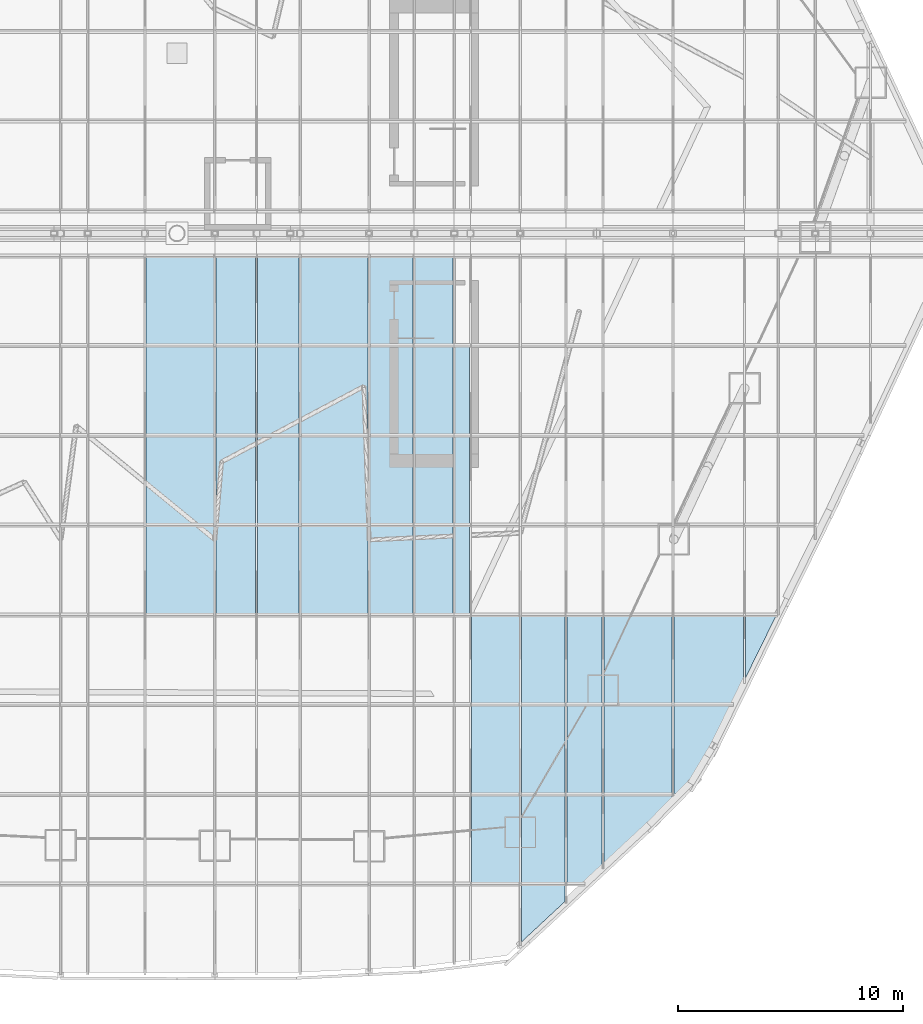
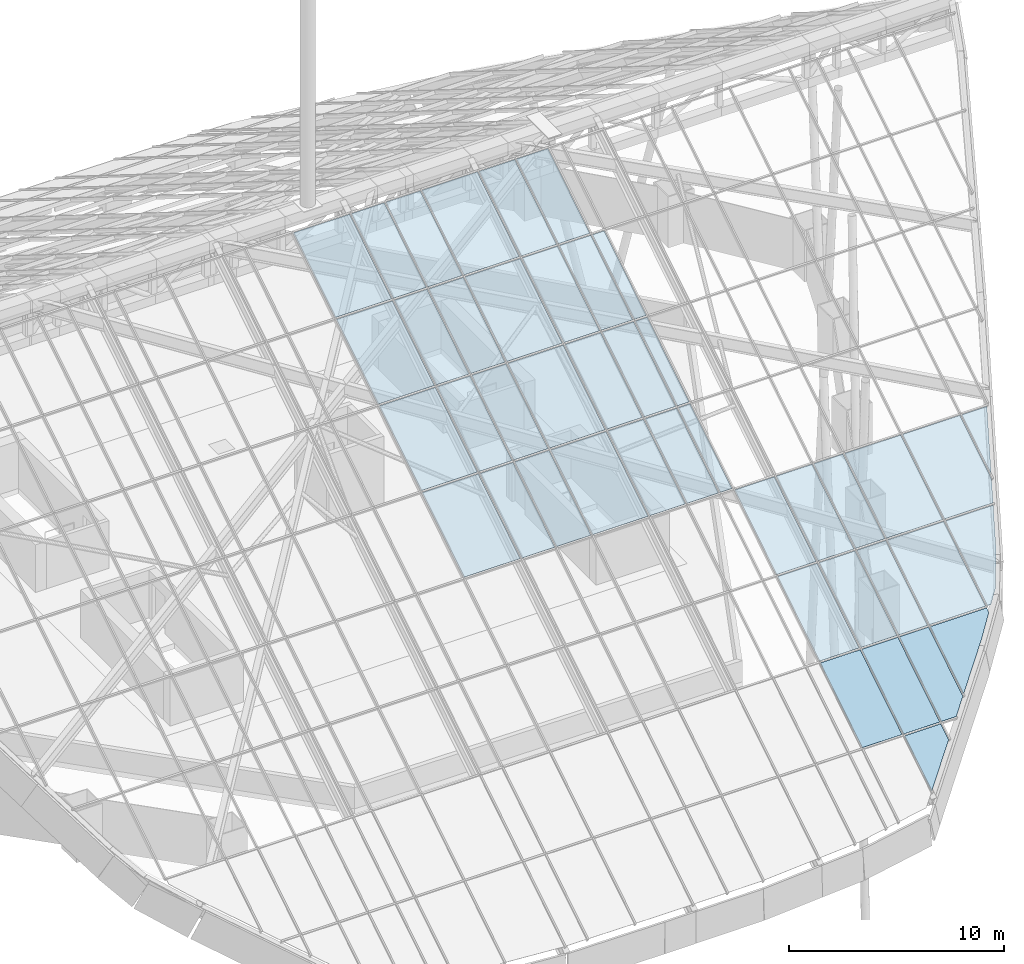
# One storey, part 29 of 38: 43 plates, 43 elements without a shape of their own.
"""IFC4 building model written with IfcOpenShell, lengths in metres."""

from ifc_helpers import new_model, si_unit, direction, frame, origin, place, context, subcontext, project, spatial, polyline, outline, extrude, material, layer, layer_set, type_object, element, aggregate, save


model = new_model("IFC4")

# Units and contexts
model_context = context("Model", 3, precision=1e-05, world=origin(), true_north=direction((0.0, 1.0)))
body_context = subcontext(model_context, "Body", "Model", "MODEL_VIEW")
ifc_project = project(units=[si_unit("LENGTHUNIT", "METRE"), si_unit("AREAUNIT", "SQUARE_METRE"), si_unit("VOLUMEUNIT", "CUBIC_METRE"), si_unit("PLANEANGLEUNIT", "RADIAN"), si_unit("MASSUNIT", "GRAM", prefix="KILO")], contexts=[model_context])

# Site, building, storey
site_placement = place(None, origin())
site = spatial("IfcSite", under=ifc_project, at=site_placement, CompositionType="ELEMENT")
building_placement = place(site_placement, origin())
building = spatial("IfcBuilding", under=site, at=building_placement, Name="Dongbaek Canopy Tower", CompositionType="ELEMENT")
storey_placement = place(building_placement, frame((0.0, 0.0, 375.800048828125)))
storey = spatial("IfcBuildingStorey", under=building, at=storey_placement, Name="Roof", CompositionType="ELEMENT", Elevation=375.800048828125)

# Curtain wall, plate
ifc_material_1 = material(Name="Aluminium 6063-T6 pale anodised", Category="aluminium")
ifc_layer_1 = layer(ifc_material_1, 0.199951171875)
ifc_layer_set_1 = layer_set([ifc_layer_1], Name="CW-6 canopy glazing curtain wall")
curtain_wall_type = type_object("IfcCurtainWallType", Name="CW-6 canopy glazing curtain wall", PredefinedType="NOTDEFINED", material=ifc_layer_set_1)
curtain_wall_1_placement = place(storey_placement, origin())
curtain_wall_1 = element("IfcCurtainWall", 1, at=curtain_wall_1_placement, inside=storey, type_object=curtain_wall_type, Name="CW-6 canopy glazing south 16.1", PredefinedType="NOTDEFINED")
ifc_material_2 = material(Name="Clear laminated glass", Category="glass")
ifc_layer_2 = layer(ifc_material_2, 0.0400390625)
ifc_layer_set_2 = layer_set([ifc_layer_2], Name="CW-6 glazed panel 40")
plate_type = type_object("IfcPlateType", Name="CW-6 glazed panel 40", PredefinedType="CURTAIN_PANEL", material=ifc_layer_set_2)
plate_1_placement = place(storey_placement, frame((1.639892578125, -4.943115234375, 15.658447265625), z_axis=(0.0, -0.52990827259, 0.848054964398), x_axis=(-1.0, 0.0, 0.0)))
plate_1 = element("IfcPlate", 2, at=plate_1_placement, type_object=plate_type, Name="CW-6 panel S16.1", PredefinedType="CURTAIN_PANEL", context=body_context, shape_type="SweptSolid", body=[
    extrude(outline(polyline([(0.0, 0.0), (3.014892578125, 0.0), (3.014892578125, -4.59893125811938), (0.0, -4.59893125811938), (0.0, 0.0)])), origin(), (0.0, 0.0, -1.0), 0.0400390625),
])
aggregate(curtain_wall_1, [plate_1])

curtain_wall_2_placement = place(storey_placement, origin())
curtain_wall_2 = element("IfcCurtainWall", 3, at=curtain_wall_2_placement, inside=storey, type_object=curtain_wall_type, Name="CW-6 canopy glazing south 16.2", PredefinedType="NOTDEFINED")
plate_2_placement = place(storey_placement, frame((1.639892578125, -8.929443359375, 13.16748046875), z_axis=(0.0, -0.52990827259, 0.848054964398), x_axis=(-1.0, 0.0, 0.0)))
plate_2 = element("IfcPlate", 4, at=plate_2_placement, type_object=plate_type, Name="CW-6 panel S16.2", PredefinedType="CURTAIN_PANEL", context=body_context, shape_type="SweptSolid", body=[
    extrude(outline(polyline([(0.0, 0.0), (3.014892578125, 0.0), (3.014892578125, -4.59893125811938), (0.0, -4.59893125811938), (0.0, 0.0)])), origin(), (0.0, 0.0, -1.0), 0.0400390625),
])
aggregate(curtain_wall_2, [plate_2])

curtain_wall_3_placement = place(storey_placement, origin())
curtain_wall_3 = element("IfcCurtainWall", 5, at=curtain_wall_3_placement, inside=storey, type_object=curtain_wall_type, Name="CW-6 canopy glazing south 16.3", PredefinedType="NOTDEFINED")
plate_3_placement = place(storey_placement, frame((1.639892578125, -12.91552734375, 10.676513671875), z_axis=(0.0, -0.529946450558, 0.848031107649), x_axis=(-1.0, 0.0, 0.0)))
plate_3 = element("IfcPlate", 6, at=plate_3_placement, type_object=plate_type, Name="CW-6 panel S16.3", PredefinedType="CURTAIN_PANEL", context=body_context, shape_type="SweptSolid", body=[
    extrude(outline(polyline([(0.0, 0.0), (3.014892578125, 0.0), (3.014892578125, -4.599060634916705), (0.0, -4.599060634916705), (0.0, 0.0)])), origin(), (0.0, 0.0, -1.0), 0.0400390625),
])
aggregate(curtain_wall_3, [plate_3])

curtain_wall_4_placement = place(storey_placement, origin())
curtain_wall_4 = element("IfcCurtainWall", 7, at=curtain_wall_4_placement, inside=storey, type_object=curtain_wall_type, Name="CW-6 canopy glazing south 16.4", PredefinedType="NOTDEFINED")
plate_4_placement = place(storey_placement, frame((1.639892578125, -16.90185546875, 8.185791015625), z_axis=(0.0, -0.52990827259, 0.848054964398), x_axis=(-1.0, 0.0, 0.0)))
plate_4 = element("IfcPlate", 8, at=plate_4_placement, type_object=plate_type, Name="CW-6 panel S16.4", PredefinedType="CURTAIN_PANEL", context=body_context, shape_type="SweptSolid", body=[
    extrude(outline(polyline([(0.0, 0.0), (3.014892578125, 0.0), (3.014892578125, -4.59893125811938), (0.0, -4.59893125811938), (0.0, 0.0)])), origin(), (0.0, 0.0, -1.0), 0.0400390625),
])
aggregate(curtain_wall_4, [plate_4])

curtain_wall_5_placement = place(storey_placement, origin())
curtain_wall_5 = element("IfcCurtainWall", 9, at=curtain_wall_5_placement, inside=storey, type_object=curtain_wall_type, Name="CW-6 canopy glazing south 17.1", PredefinedType="NOTDEFINED")
plate_5_placement = place(storey_placement, frame((3.4921875, -4.943115234375, 15.658447265625), z_axis=(0.0, -0.52990827259, 0.848054964398), x_axis=(-1.0, 0.0, 0.0)))
plate_5 = element("IfcPlate", 10, at=plate_5_placement, type_object=plate_type, Name="CW-6 panel S17.1", PredefinedType="CURTAIN_PANEL", context=body_context, shape_type="SweptSolid", body=[
    extrude(outline(polyline([(0.0, 0.0), (1.76611328125, 0.0), (1.76611328125, -4.59893125811938), (0.0, -4.59893125811938), (0.0, 0.0)])), origin(), (0.0, 0.0, -1.0), 0.0400390625),
])
aggregate(curtain_wall_5, [plate_5])

curtain_wall_6_placement = place(storey_placement, origin())
curtain_wall_6 = element("IfcCurtainWall", 11, at=curtain_wall_6_placement, inside=storey, type_object=curtain_wall_type, Name="CW-6 canopy glazing south 17.2", PredefinedType="NOTDEFINED")
plate_6_placement = place(storey_placement, frame((3.4921875, -8.929443359375, 13.16748046875), z_axis=(0.0, -0.52990827259, 0.848054964398), x_axis=(-1.0, 0.0, 0.0)))
plate_6 = element("IfcPlate", 12, at=plate_6_placement, type_object=plate_type, Name="CW-6 panel S17.2", PredefinedType="CURTAIN_PANEL", context=body_context, shape_type="SweptSolid", body=[
    extrude(outline(polyline([(0.0, 0.0), (1.76611328125, 0.0), (1.76611328125, -4.59893125811938), (0.0, -4.59893125811938), (0.0, 0.0)])), origin(), (0.0, 0.0, -1.0), 0.0400390625),
])
aggregate(curtain_wall_6, [plate_6])

curtain_wall_7_placement = place(storey_placement, origin())
curtain_wall_7 = element("IfcCurtainWall", 13, at=curtain_wall_7_placement, inside=storey, type_object=curtain_wall_type, Name="CW-6 canopy glazing south 17.3", PredefinedType="NOTDEFINED")
plate_7_placement = place(storey_placement, frame((3.4921875, -12.91552734375, 10.676513671875), z_axis=(0.0, -0.529946450558, 0.848031107649), x_axis=(-1.0, 0.0, 0.0)))
plate_7 = element("IfcPlate", 14, at=plate_7_placement, type_object=plate_type, Name="CW-6 panel S17.3", PredefinedType="CURTAIN_PANEL", context=body_context, shape_type="SweptSolid", body=[
    extrude(outline(polyline([(0.0, 0.0), (1.76611328125, 0.0), (1.76611328125, -4.599060634916704), (0.0, -4.599060634916704), (0.0, 0.0)])), origin(), (0.0, 0.0, -1.0), 0.0400390625),
])
aggregate(curtain_wall_7, [plate_7])

curtain_wall_8_placement = place(storey_placement, origin())
curtain_wall_8 = element("IfcCurtainWall", 15, at=curtain_wall_8_placement, inside=storey, type_object=curtain_wall_type, Name="CW-6 canopy glazing south 17.4", PredefinedType="NOTDEFINED")
plate_8_placement = place(storey_placement, frame((3.4921875, -16.90185546875, 8.185791015625), z_axis=(0.0, -0.52990827259, 0.848054964398), x_axis=(-1.0, 0.0, 0.0)))
plate_8 = element("IfcPlate", 16, at=plate_8_placement, type_object=plate_type, Name="CW-6 panel S17.4", PredefinedType="CURTAIN_PANEL", context=body_context, shape_type="SweptSolid", body=[
    extrude(outline(polyline([(0.0, 0.0), (1.76611328125, 0.0), (1.76611328125, -4.59893125811938), (0.0, -4.59893125811938), (0.0, 0.0)])), origin(), (0.0, 0.0, -1.0), 0.0400390625),
])
aggregate(curtain_wall_8, [plate_8])

curtain_wall_9_placement = place(storey_placement, origin())
curtain_wall_9 = element("IfcCurtainWall", 17, at=curtain_wall_9_placement, inside=storey, type_object=curtain_wall_type, Name="CW-6 canopy glazing south 18.1", PredefinedType="NOTDEFINED")
plate_9_placement = place(storey_placement, frame((5.427978515625, -4.943115234375, 15.658447265625), z_axis=(0.0, -0.52990827259, 0.848054964398), x_axis=(-1.0, 0.0, 0.0)))
plate_9 = element("IfcPlate", 18, at=plate_9_placement, type_object=plate_type, Name="CW-6 panel S18.1", PredefinedType="CURTAIN_PANEL", context=body_context, shape_type="SweptSolid", body=[
    extrude(outline(polyline([(0.0, 0.0), (1.849609375, 0.0), (1.849609375, -4.59893125811938), (0.0, -4.59893125811938), (0.0, 0.0)])), origin(), (0.0, 0.0, -1.0), 0.0400390625),
])
aggregate(curtain_wall_9, [plate_9])

curtain_wall_10_placement = place(storey_placement, origin())
curtain_wall_10 = element("IfcCurtainWall", 19, at=curtain_wall_10_placement, inside=storey, type_object=curtain_wall_type, Name="CW-6 canopy glazing south 18.2", PredefinedType="NOTDEFINED")
plate_10_placement = place(storey_placement, frame((5.427978515625, -8.929443359375, 13.16748046875), z_axis=(0.0, -0.52990827259, 0.848054964398), x_axis=(-1.0, 0.0, 0.0)))
plate_10 = element("IfcPlate", 20, at=plate_10_placement, type_object=plate_type, Name="CW-6 panel S18.2", PredefinedType="CURTAIN_PANEL", context=body_context, shape_type="SweptSolid", body=[
    extrude(outline(polyline([(0.0, 0.0), (1.849609375, 0.0), (1.849609375, -4.59893125811938), (0.0, -4.59893125811938), (0.0, 0.0)])), origin(), (0.0, 0.0, -1.0), 0.0400390625),
])
aggregate(curtain_wall_10, [plate_10])

curtain_wall_11_placement = place(storey_placement, origin())
curtain_wall_11 = element("IfcCurtainWall", 21, at=curtain_wall_11_placement, inside=storey, type_object=curtain_wall_type, Name="CW-6 canopy glazing south 18.3", PredefinedType="NOTDEFINED")
plate_11_placement = place(storey_placement, frame((5.427978515625, -12.91552734375, 10.676513671875), z_axis=(0.0, -0.529946450558, 0.848031107649), x_axis=(-1.0, 0.0, 0.0)))
plate_11 = element("IfcPlate", 22, at=plate_11_placement, type_object=plate_type, Name="CW-6 panel S18.3", PredefinedType="CURTAIN_PANEL", context=body_context, shape_type="SweptSolid", body=[
    extrude(outline(polyline([(0.0, 0.0), (1.849609375, 0.0), (1.849609375, -4.599060634916705), (0.0, -4.599060634916705), (0.0, 0.0)])), origin(), (0.0, 0.0, -1.0), 0.0400390625),
])
aggregate(curtain_wall_11, [plate_11])

curtain_wall_12_placement = place(storey_placement, origin())
curtain_wall_12 = element("IfcCurtainWall", 23, at=curtain_wall_12_placement, inside=storey, type_object=curtain_wall_type, Name="CW-6 canopy glazing south 18.4", PredefinedType="NOTDEFINED")
plate_12_placement = place(storey_placement, frame((5.427978515625, -16.90185546875, 8.185791015625), z_axis=(0.0, -0.52990827259, 0.848054964398), x_axis=(-1.0, 0.0, 0.0)))
plate_12 = element("IfcPlate", 24, at=plate_12_placement, type_object=plate_type, Name="CW-6 panel S18.4", PredefinedType="CURTAIN_PANEL", context=body_context, shape_type="SweptSolid", body=[
    extrude(outline(polyline([(0.0, 0.0), (1.849609375, 0.0), (1.849609375, -4.59893125811938), (0.0, -4.59893125811938), (0.0, 0.0)])), origin(), (0.0, 0.0, -1.0), 0.0400390625),
])
aggregate(curtain_wall_12, [plate_12])

curtain_wall_13_placement = place(storey_placement, origin())
curtain_wall_13 = element("IfcCurtainWall", 25, at=curtain_wall_13_placement, inside=storey, type_object=curtain_wall_type, Name="CW-6 canopy glazing south 19.1", PredefinedType="NOTDEFINED")
plate_13_placement = place(storey_placement, frame((8.490966796875, -4.943115234375, 15.658447265625), z_axis=(0.0, -0.52990827259, 0.848054964398), x_axis=(-1.0, 0.0, 0.0)))
plate_13 = element("IfcPlate", 26, at=plate_13_placement, type_object=plate_type, Name="CW-6 panel S19.1", PredefinedType="CURTAIN_PANEL", context=body_context, shape_type="SweptSolid", body=[
    extrude(outline(polyline([(0.0, 0.0), (2.97705078125, 0.0), (2.97705078125, -4.59893125811938), (0.0, -4.59893125811938), (0.0, 0.0)])), origin(), (0.0, 0.0, -1.0), 0.0400390625),
])
aggregate(curtain_wall_13, [plate_13])

curtain_wall_14_placement = place(storey_placement, origin())
curtain_wall_14 = element("IfcCurtainWall", 27, at=curtain_wall_14_placement, inside=storey, type_object=curtain_wall_type, Name="CW-6 canopy glazing south 19.2", PredefinedType="NOTDEFINED")
plate_14_placement = place(storey_placement, frame((8.490966796875, -8.929443359375, 13.16748046875), z_axis=(0.0, -0.52990827259, 0.848054964398), x_axis=(-1.0, 0.0, 0.0)))
plate_14 = element("IfcPlate", 28, at=plate_14_placement, type_object=plate_type, Name="CW-6 panel S19.2", PredefinedType="CURTAIN_PANEL", context=body_context, shape_type="SweptSolid", body=[
    extrude(outline(polyline([(0.0, 0.0), (2.97705078125, 0.0), (2.97705078125, -4.59893125811938), (0.0, -4.59893125811938), (0.0, 0.0)])), origin(), (0.0, 0.0, -1.0), 0.0400390625),
])
aggregate(curtain_wall_14, [plate_14])

curtain_wall_15_placement = place(storey_placement, origin())
curtain_wall_15 = element("IfcCurtainWall", 29, at=curtain_wall_15_placement, inside=storey, type_object=curtain_wall_type, Name="CW-6 canopy glazing south 19.3", PredefinedType="NOTDEFINED")
plate_15_placement = place(storey_placement, frame((8.490966796875, -12.91552734375, 10.676513671875), z_axis=(0.0, -0.529946450558, 0.848031107649), x_axis=(-1.0, 0.0, 0.0)))
plate_15 = element("IfcPlate", 30, at=plate_15_placement, type_object=plate_type, Name="CW-6 panel S19.3", PredefinedType="CURTAIN_PANEL", context=body_context, shape_type="SweptSolid", body=[
    extrude(outline(polyline([(0.0, 0.0), (2.97705078125, 0.0), (2.97705078125, -4.599060634916705), (0.0, -4.599060634916705), (0.0, 0.0)])), origin(), (0.0, 0.0, -1.0), 0.0400390625),
])
aggregate(curtain_wall_15, [plate_15])

curtain_wall_16_placement = place(storey_placement, origin())
curtain_wall_16 = element("IfcCurtainWall", 31, at=curtain_wall_16_placement, inside=storey, type_object=curtain_wall_type, Name="CW-6 canopy glazing south 19.4", PredefinedType="NOTDEFINED")
plate_16_placement = place(storey_placement, frame((8.490966796875, -16.90185546875, 8.185791015625), z_axis=(0.0, -0.52990827259, 0.848054964398), x_axis=(-1.0, 0.0, 0.0)))
plate_16 = element("IfcPlate", 32, at=plate_16_placement, type_object=plate_type, Name="CW-6 panel S19.4", PredefinedType="CURTAIN_PANEL", context=body_context, shape_type="SweptSolid", body=[
    extrude(outline(polyline([(0.0, 0.0), (2.97705078125, 0.0), (2.97705078125, -4.59893125811938), (0.0, -4.59893125811938), (0.0, 0.0)])), origin(), (0.0, 0.0, -1.0), 0.0400390625),
])
aggregate(curtain_wall_16, [plate_16])

curtain_wall_17_placement = place(storey_placement, origin())
curtain_wall_17 = element("IfcCurtainWall", 33, at=curtain_wall_17_placement, inside=storey, type_object=curtain_wall_type, Name="CW-6 canopy glazing south 20.1", PredefinedType="NOTDEFINED")
plate_17_placement = place(storey_placement, frame((10.4921875, -4.943115234375, 15.658447265625), z_axis=(0.0, -0.52990827259, 0.848054964398), x_axis=(-1.0, 0.0, 0.0)))
plate_17 = element("IfcPlate", 34, at=plate_17_placement, type_object=plate_type, Name="CW-6 panel S20.1", PredefinedType="CURTAIN_PANEL", context=body_context, shape_type="SweptSolid", body=[
    extrude(outline(polyline([(0.0, 0.0), (1.915283203125, 0.0), (1.915283203125, -4.59893125811938), (0.0, -4.59893125811938), (0.0, 0.0)])), origin(), (0.0, 0.0, -1.0), 0.0400390625),
])
aggregate(curtain_wall_17, [plate_17])

curtain_wall_18_placement = place(storey_placement, origin())
curtain_wall_18 = element("IfcCurtainWall", 35, at=curtain_wall_18_placement, inside=storey, type_object=curtain_wall_type, Name="CW-6 canopy glazing south 20.2", PredefinedType="NOTDEFINED")
plate_18_placement = place(storey_placement, frame((10.4921875, -8.929443359375, 13.16748046875), z_axis=(0.0, -0.52990827259, 0.848054964398), x_axis=(-1.0, 0.0, 0.0)))
plate_18 = element("IfcPlate", 36, at=plate_18_placement, type_object=plate_type, Name="CW-6 panel S20.2", PredefinedType="CURTAIN_PANEL", context=body_context, shape_type="SweptSolid", body=[
    extrude(outline(polyline([(0.0, 0.0), (1.915283203125, 0.0), (1.915283203125, -4.59893125811938), (0.0, -4.59893125811938), (0.0, 0.0)])), origin(), (0.0, 0.0, -1.0), 0.0400390625),
])
aggregate(curtain_wall_18, [plate_18])

curtain_wall_19_placement = place(storey_placement, origin())
curtain_wall_19 = element("IfcCurtainWall", 37, at=curtain_wall_19_placement, inside=storey, type_object=curtain_wall_type, Name="CW-6 canopy glazing south 20.3", PredefinedType="NOTDEFINED")
plate_19_placement = place(storey_placement, frame((10.4921875, -12.91552734375, 10.676513671875), z_axis=(0.0, -0.529946450558, 0.848031107649), x_axis=(-1.0, 0.0, 0.0)))
plate_19 = element("IfcPlate", 38, at=plate_19_placement, type_object=plate_type, Name="CW-6 panel S20.3", PredefinedType="CURTAIN_PANEL", context=body_context, shape_type="SweptSolid", body=[
    extrude(outline(polyline([(0.0, 0.0), (1.915283203125, 0.0), (1.915283203125, -4.599060634916705), (0.0, -4.599060634916705), (0.0, 0.0)])), origin(), (0.0, 0.0, -1.0), 0.0400390625),
])
aggregate(curtain_wall_19, [plate_19])

curtain_wall_20_placement = place(storey_placement, origin())
curtain_wall_20 = element("IfcCurtainWall", 39, at=curtain_wall_20_placement, inside=storey, type_object=curtain_wall_type, Name="CW-6 canopy glazing south 20.4", PredefinedType="NOTDEFINED")
plate_20_placement = place(storey_placement, frame((10.4921875, -16.90185546875, 8.185791015625), z_axis=(0.0, -0.52990827259, 0.848054964398), x_axis=(-1.0, 0.0, 0.0)))
plate_20 = element("IfcPlate", 40, at=plate_20_placement, type_object=plate_type, Name="CW-6 panel S20.4", PredefinedType="CURTAIN_PANEL", context=body_context, shape_type="SweptSolid", body=[
    extrude(outline(polyline([(0.0, 0.0), (1.915283203125, 0.0), (1.915283203125, -4.59893125811938), (0.0, -4.59893125811938), (0.0, 0.0)])), origin(), (0.0, 0.0, -1.0), 0.0400390625),
])
aggregate(curtain_wall_20, [plate_20])

curtain_wall_21_placement = place(storey_placement, origin())
curtain_wall_21 = element("IfcCurtainWall", 41, at=curtain_wall_21_placement, inside=storey, type_object=curtain_wall_type, Name="CW-6 canopy glazing south 21.1", PredefinedType="NOTDEFINED")
plate_21_placement = place(storey_placement, frame((12.27099609375, -4.943115234375, 15.658447265625), z_axis=(0.0, -0.52990827259, 0.848054964398), x_axis=(-1.0, 0.0, 0.0)))
plate_21 = element("IfcPlate", 42, at=plate_21_placement, type_object=plate_type, Name="CW-6 panel S21.1", PredefinedType="CURTAIN_PANEL", context=body_context, shape_type="SweptSolid", body=[
    extrude(outline(polyline([(0.0, 0.0), (1.692626953125, 0.0), (1.692626953125, -4.59893125811938), (0.0, -4.59893125811938), (0.0, 0.0)])), origin(), (0.0, 0.0, -1.0), 0.0400390625),
])
aggregate(curtain_wall_21, [plate_21])

curtain_wall_22_placement = place(storey_placement, origin())
curtain_wall_22 = element("IfcCurtainWall", 43, at=curtain_wall_22_placement, inside=storey, type_object=curtain_wall_type, Name="CW-6 canopy glazing south 21.2", PredefinedType="NOTDEFINED")
plate_22_placement = place(storey_placement, frame((12.27099609375, -8.929443359375, 13.16748046875), z_axis=(0.0, -0.52990827259, 0.848054964398), x_axis=(-1.0, 0.0, 0.0)))
plate_22 = element("IfcPlate", 44, at=plate_22_placement, type_object=plate_type, Name="CW-6 panel S21.2", PredefinedType="CURTAIN_PANEL", context=body_context, shape_type="SweptSolid", body=[
    extrude(outline(polyline([(0.0, 0.0), (1.692626953125, 0.0), (1.692626953125, -4.59893125811938), (0.0, -4.59893125811938), (0.0, 0.0)])), origin(), (0.0, 0.0, -1.0), 0.0400390625),
])
aggregate(curtain_wall_22, [plate_22])

curtain_wall_23_placement = place(storey_placement, origin())
curtain_wall_23 = element("IfcCurtainWall", 45, at=curtain_wall_23_placement, inside=storey, type_object=curtain_wall_type, Name="CW-6 canopy glazing south 21.3", PredefinedType="NOTDEFINED")
plate_23_placement = place(storey_placement, frame((12.27099609375, -12.91552734375, 10.676513671875), z_axis=(0.0, -0.529946450558, 0.848031107649), x_axis=(-1.0, 0.0, 0.0)))
plate_23 = element("IfcPlate", 46, at=plate_23_placement, type_object=plate_type, Name="CW-6 panel S21.3", PredefinedType="CURTAIN_PANEL", context=body_context, shape_type="SweptSolid", body=[
    extrude(outline(polyline([(0.0, 0.0), (1.692626953125, 0.0), (1.692626953125, -4.599060634916705), (0.0, -4.599060634916705), (0.0, 0.0)])), origin(), (0.0, 0.0, -1.0), 0.0400390625),
])
aggregate(curtain_wall_23, [plate_23])

curtain_wall_24_placement = place(storey_placement, origin())
curtain_wall_24 = element("IfcCurtainWall", 47, at=curtain_wall_24_placement, inside=storey, type_object=curtain_wall_type, Name="CW-6 canopy glazing south 21.4", PredefinedType="NOTDEFINED")
plate_24_placement = place(storey_placement, frame((12.27099609375, -16.90185546875, 8.185791015625), z_axis=(0.0, -0.52990827259, 0.848054964398), x_axis=(-1.0, 0.0, 0.0)))
plate_24 = element("IfcPlate", 48, at=plate_24_placement, type_object=plate_type, Name="CW-6 panel S21.4", PredefinedType="CURTAIN_PANEL", context=body_context, shape_type="SweptSolid", body=[
    extrude(outline(polyline([(0.0, 0.0), (1.692626953125, 0.0), (1.692626953125, -4.59893125811938), (0.0, -4.59893125811938), (0.0, 0.0)])), origin(), (0.0, 0.0, -1.0), 0.0400390625),
])
aggregate(curtain_wall_24, [plate_24])

curtain_wall_25_placement = place(storey_placement, origin())
curtain_wall_25 = element("IfcCurtainWall", 49, at=curtain_wall_25_placement, inside=storey, type_object=curtain_wall_type, Name="CW-6 canopy glazing south 22.2", PredefinedType="NOTDEFINED")
plate_25_placement = place(storey_placement, frame((12.9921875, -8.929443359375, 13.16748046875), z_axis=(0.0, -0.52990827259, 0.848054964398), x_axis=(-1.0, 0.0, 0.0)))
plate_25 = element("IfcPlate", 50, at=plate_25_placement, type_object=plate_type, Name="CW-6 panel S22.2", PredefinedType="CURTAIN_PANEL", context=body_context, shape_type="SweptSolid", body=[
    extrude(outline(polyline([(0.0, 0.0), (0.63525390625, 0.0), (0.63525390625, -4.5989312581193795), (0.0, -4.5989312581193795), (0.0, 0.0)])), origin(), (0.0, 0.0, -1.0), 0.0400390625),
])
aggregate(curtain_wall_25, [plate_25])

curtain_wall_26_placement = place(storey_placement, origin())
curtain_wall_26 = element("IfcCurtainWall", 51, at=curtain_wall_26_placement, inside=storey, type_object=curtain_wall_type, Name="CW-6 canopy glazing south 22.3", PredefinedType="NOTDEFINED")
plate_26_placement = place(storey_placement, frame((12.9921875, -12.91552734375, 10.676513671875), z_axis=(0.0, -0.529946450558, 0.848031107649), x_axis=(-1.0, 0.0, 0.0)))
plate_26 = element("IfcPlate", 52, at=plate_26_placement, type_object=plate_type, Name="CW-6 panel S22.3", PredefinedType="CURTAIN_PANEL", context=body_context, shape_type="SweptSolid", body=[
    extrude(outline(polyline([(0.0, 0.0), (0.63525390625, 0.0), (0.63525390625, -4.599060634916705), (0.0, -4.599060634916705), (0.0, 0.0)])), origin(), (0.0, 0.0, -1.0), 0.0400390625),
])
aggregate(curtain_wall_26, [plate_26])

curtain_wall_27_placement = place(storey_placement, origin())
curtain_wall_27 = element("IfcCurtainWall", 53, at=curtain_wall_27_placement, inside=storey, type_object=curtain_wall_type, Name="CW-6 canopy glazing south 22.4", PredefinedType="NOTDEFINED")
plate_27_placement = place(storey_placement, frame((12.9921875, -16.90185546875, 8.185791015625), z_axis=(0.0, -0.52990827259, 0.848054964398), x_axis=(-1.0, 0.0, 0.0)))
plate_27 = element("IfcPlate", 54, at=plate_27_placement, type_object=plate_type, Name="CW-6 panel S22.4", PredefinedType="CURTAIN_PANEL", context=body_context, shape_type="SweptSolid", body=[
    extrude(outline(polyline([(0.0, 0.0), (0.63525390625, 0.0), (0.63525390625, -4.5989312581193795), (0.0, -4.5989312581193795), (0.0, 0.0)])), origin(), (0.0, 0.0, -1.0), 0.0400390625),
])
aggregate(curtain_wall_27, [plate_27])

curtain_wall_28_placement = place(storey_placement, origin())
curtain_wall_28 = element("IfcCurtainWall", 55, at=curtain_wall_28_placement, inside=storey, type_object=curtain_wall_type, Name="CW-6 canopy glazing south 23.5", PredefinedType="NOTDEFINED")
plate_28_placement = place(storey_placement, frame((15.208984375, -20.887939453125, 5.69482421875), z_axis=(0.0, -0.529946450558, 0.848031107649), x_axis=(-1.0, 0.0, 0.0)))
plate_28 = element("IfcPlate", 56, at=plate_28_placement, type_object=plate_type, Name="CW-6 panel S23.5", PredefinedType="CURTAIN_PANEL", context=body_context, shape_type="SweptSolid", body=[
    extrude(outline(polyline([(0.0, 0.0), (2.130615234375, 0.0), (2.130615234375, -4.599060634916706), (0.0, -4.599060634916706), (0.0, 0.0)])), origin(), (0.0, 0.0, -1.0), 0.0400390625),
])
aggregate(curtain_wall_28, [plate_28])

curtain_wall_29_placement = place(storey_placement, origin())
curtain_wall_29 = element("IfcCurtainWall", 57, at=curtain_wall_29_placement, inside=storey, type_object=curtain_wall_type, Name="CW-6 canopy glazing south 23.6", PredefinedType="NOTDEFINED")
plate_29_placement = place(storey_placement, frame((15.208984375, -24.874267578125, 3.2041015625), z_axis=(0.0, -0.52990827259, 0.848054964398), x_axis=(-1.0, 0.0, 0.0)))
plate_29 = element("IfcPlate", 58, at=plate_29_placement, type_object=plate_type, Name="CW-6 panel S23.6", PredefinedType="CURTAIN_PANEL", context=body_context, shape_type="SweptSolid", body=[
    extrude(outline(polyline([(0.0, 0.0), (2.130615234375, 0.0), (2.130615234375, -4.59893125811938), (0.0, -4.59893125811938), (0.0, 0.0)])), origin(), (0.0, 0.0, -1.0), 0.0400390625),
])
aggregate(curtain_wall_29, [plate_29])

curtain_wall_30_placement = place(storey_placement, origin())
curtain_wall_30 = element("IfcCurtainWall", 59, at=curtain_wall_30_placement, inside=storey, type_object=curtain_wall_type, Name="CW-6 canopy glazing south 23.7", PredefinedType="NOTDEFINED")
plate_30_placement = place(storey_placement, frame((15.208984375, -28.8603515625, 0.713134765625), z_axis=(0.0, -0.529946450558, 0.848031107649), x_axis=(-1.0, 0.0, 0.0)))
plate_30 = element("IfcPlate", 60, at=plate_30_placement, type_object=plate_type, Name="CW-6 panel S23.7", PredefinedType="CURTAIN_PANEL", context=body_context, shape_type="SweptSolid", body=[
    extrude(outline(polyline([(0.0, 0.0), (2.130615234375, 0.0), (2.130615234375, -4.599060634916706), (0.0, -4.599060634916706), (0.0, 0.0)])), origin(), (0.0, 0.0, -1.0), 0.0400390625),
])
aggregate(curtain_wall_30, [plate_30])

curtain_wall_31_placement = place(storey_placement, origin())
curtain_wall_31 = element("IfcCurtainWall", 61, at=curtain_wall_31_placement, inside=storey, type_object=curtain_wall_type, Name="CW-6 canopy glazing south 24.5", PredefinedType="NOTDEFINED")
plate_31_placement = place(storey_placement, frame((17.23291015625, -20.887939453125, 5.69482421875), z_axis=(0.0, -0.529946450558, 0.848031107649), x_axis=(-1.0, 0.0, 0.0)))
plate_31 = element("IfcPlate", 62, at=plate_31_placement, type_object=plate_type, Name="CW-6 panel S24.5", PredefinedType="CURTAIN_PANEL", context=body_context, shape_type="SweptSolid", body=[
    extrude(outline(polyline([(0.0, 0.0), (1.93798828125, 0.0), (1.93798828125, -4.599060634916705), (0.0, -4.599060634916705), (0.0, 0.0)])), origin(), (0.0, 0.0, -1.0), 0.0400390625),
])
aggregate(curtain_wall_31, [plate_31])

curtain_wall_32_placement = place(storey_placement, origin())
curtain_wall_32 = element("IfcCurtainWall", 63, at=curtain_wall_32_placement, inside=storey, type_object=curtain_wall_type, Name="CW-6 canopy glazing south 24.6", PredefinedType="NOTDEFINED")
plate_32_placement = place(storey_placement, frame((17.23291015625, -24.874267578125, 3.2041015625), z_axis=(0.0, -0.52990827259, 0.848054964398), x_axis=(-1.0, 0.0, 0.0)))
plate_32 = element("IfcPlate", 64, at=plate_32_placement, type_object=plate_type, Name="CW-6 panel S24.6", PredefinedType="CURTAIN_PANEL", context=body_context, shape_type="SweptSolid", body=[
    extrude(outline(polyline([(0.0, 0.0), (1.93798828125, 0.0), (1.93798828125, -4.59893125811938), (0.0, -4.59893125811938), (0.0, 0.0)])), origin(), (0.0, 0.0, -1.0), 0.0400390625),
])
aggregate(curtain_wall_32, [plate_32])

curtain_wall_33_placement = place(storey_placement, origin())
curtain_wall_33 = element("IfcCurtainWall", 65, at=curtain_wall_33_placement, inside=storey, type_object=curtain_wall_type, Name="CW-6 canopy glazing south 24.7", PredefinedType="NOTDEFINED")
plate_33_placement = place(storey_placement, frame((17.23291015625, -28.8603515625, 0.713134765625), z_axis=(0.0, -0.529946450558, 0.848031107649), x_axis=(-1.0, 0.0, 0.0)))
plate_33 = element("IfcPlate", 66, at=plate_33_placement, type_object=plate_type, Name="CW-6 panel S24.7", PredefinedType="CURTAIN_PANEL", context=body_context, shape_type="SweptSolid", body=[
    extrude(outline(polyline([(0.0, 0.0), (1.93798828125, 0.0), (1.93798828125, -4.599060634916705), (0.0, -4.599060634916705), (0.0, 0.0)])), origin(), (0.0, 0.0, -1.0), 0.0400390625),
])
aggregate(curtain_wall_33, [plate_33])

curtain_wall_34_placement = place(storey_placement, origin())
curtain_wall_34 = element("IfcCurtainWall", 67, at=curtain_wall_34_placement, inside=storey, type_object=curtain_wall_type, Name="CW-6 canopy glazing south 24.8", PredefinedType="NOTDEFINED")
plate_34_placement = place(storey_placement, frame((17.23291015625, -29.675537109375, 0.203857421875), z_axis=(1.807906e-05, -0.529913318298, 0.848051811368), x_axis=(-0.673776545996, -0.626661753293, -0.391561250669)))
plate_34 = element("IfcPlate", 68, at=plate_34_placement, type_object=plate_type, Name="CW-6 panel S24.8", PredefinedType="CURTAIN_PANEL", context=body_context, shape_type="SweptSolid", body=[
    extrude(outline(polyline([(0.0, 0.0), (2.876307127933203, 1.6653345369377348e-16), (0.6705500324801417, -2.011255497950101), (-0.6352210178418332, -0.5792078237521421), (0.0, 0.0)])), origin(), (0.0, 0.0, -1.0), 0.0400390625),
])
aggregate(curtain_wall_34, [plate_34])

curtain_wall_35_placement = place(storey_placement, origin())
curtain_wall_35 = element("IfcCurtainWall", 69, at=curtain_wall_35_placement, inside=storey, type_object=curtain_wall_type, Name="CW-6 canopy glazing south 25.5", PredefinedType="NOTDEFINED")
plate_35_placement = place(storey_placement, frame((18.882080078125, -20.887939453125, 5.69482421875), z_axis=(0.0, -0.529946450558, 0.848031107649), x_axis=(-1.0, 0.0, 0.0)))
plate_35 = element("IfcPlate", 70, at=plate_35_placement, type_object=plate_type, Name="CW-6 panel S25.5", PredefinedType="CURTAIN_PANEL", context=body_context, shape_type="SweptSolid", body=[
    extrude(outline(polyline([(0.0, 0.0), (1.56298828125, 0.0), (1.56298828125, -4.599060634916705), (0.0, -4.599060634916705), (0.0, 0.0)])), origin(), (0.0, 0.0, -1.0), 0.0400390625),
])
aggregate(curtain_wall_35, [plate_35])

curtain_wall_36_placement = place(storey_placement, origin())
curtain_wall_36 = element("IfcCurtainWall", 71, at=curtain_wall_36_placement, inside=storey, type_object=curtain_wall_type, Name="CW-6 canopy glazing south 25.6", PredefinedType="NOTDEFINED")
plate_36_placement = place(storey_placement, frame((18.882080078125, -24.874267578125, 3.2041015625), z_axis=(0.0, -0.52990827259, 0.848054964398), x_axis=(-1.0, 0.0, 0.0)))
plate_36 = element("IfcPlate", 72, at=plate_36_placement, type_object=plate_type, Name="CW-6 panel S25.6", PredefinedType="CURTAIN_PANEL", context=body_context, shape_type="SweptSolid", body=[
    extrude(outline(polyline([(0.0, 0.0), (1.56298828125, 0.0), (1.56298828125, -4.59893125811938), (0.0, -4.59893125811938), (0.0, 0.0)])), origin(), (0.0, 0.0, -1.0), 0.0400390625),
])
aggregate(curtain_wall_36, [plate_36])

curtain_wall_37_placement = place(storey_placement, origin())
curtain_wall_37 = element("IfcCurtainWall", 73, at=curtain_wall_37_placement, inside=storey, type_object=curtain_wall_type, Name="CW-6 canopy glazing south 25.7", PredefinedType="NOTDEFINED")
plate_37_placement = place(storey_placement, frame((18.882080078125, -28.14208984375, 1.162109375), z_axis=(-3.4918599e-05, -0.529941476567, 0.848034215226), x_axis=(-0.673829615589, -0.626588787529, -0.391586696017)))
plate_37 = element("IfcPlate", 74, at=plate_37_placement, type_object=plate_type, Name="CW-6 panel S25.7", PredefinedType="CURTAIN_PANEL", context=body_context, shape_type="SweptSolid", body=[
    extrude(outline(polyline([(0.0, 0.0), (1.1463742799342296, 2.7755575615628914e-17), (1.6790550160862048, -0.5841101897647685), (-1.7191300100647458, -3.683093450603128), (-2.7723178027901767, -2.528222099499346), (0.0, 0.0)])), origin(), (0.0, 0.0, -1.0), 0.0400390625),
])
aggregate(curtain_wall_37, [plate_37])

curtain_wall_38_placement = place(storey_placement, origin())
curtain_wall_38 = element("IfcCurtainWall", 75, at=curtain_wall_38_placement, inside=storey, type_object=curtain_wall_type, Name="CW-6 canopy glazing south 26.5", PredefinedType="NOTDEFINED")
plate_38_placement = place(storey_placement, frame((21.9921875, -20.887939453125, 5.69482421875), z_axis=(0.0, -0.529946450558, 0.848031107649), x_axis=(-1.0, 0.0, 0.0)))
plate_38 = element("IfcPlate", 76, at=plate_38_placement, type_object=plate_type, Name="CW-6 panel S26.5", PredefinedType="CURTAIN_PANEL", context=body_context, shape_type="SweptSolid", body=[
    extrude(outline(polyline([(0.0, 0.0), (3.024169921875, 0.0), (3.024169921875, -4.599060634916705), (0.0, -4.599060634916705), (0.0, 0.0)])), origin(), (0.0, 0.0, -1.0), 0.0400390625),
])
aggregate(curtain_wall_38, [plate_38])

curtain_wall_39_placement = place(storey_placement, origin())
curtain_wall_39 = element("IfcCurtainWall", 77, at=curtain_wall_39_placement, inside=storey, type_object=curtain_wall_type, Name="CW-6 canopy glazing south 26.6", PredefinedType="NOTDEFINED")
plate_39_placement = place(storey_placement, frame((21.9921875, -24.874267578125, 3.2041015625), z_axis=(0.0, -0.52990827259, 0.848054964398), x_axis=(-1.0, 0.0, 0.0)))
plate_39 = element("IfcPlate", 78, at=plate_39_placement, type_object=plate_type, Name="CW-6 panel S26.6", PredefinedType="CURTAIN_PANEL", context=body_context, shape_type="SweptSolid", body=[
    extrude(outline(polyline([(0.0, 0.0), (3.024169921875, 0.0), (3.024169921875, -4.59893125811938), (0.0, -4.59893125811938), (0.0, 0.0)])), origin(), (0.0, 0.0, -1.0), 0.0400390625),
])
aggregate(curtain_wall_39, [plate_39])

curtain_wall_40_placement = place(storey_placement, origin())
curtain_wall_40 = element("IfcCurtainWall", 79, at=curtain_wall_40_placement, inside=storey, type_object=curtain_wall_type, Name="CW-6 canopy glazing south 26.7", PredefinedType="NOTDEFINED")
plate_40_placement = place(storey_placement, frame((21.9921875, -25.167236328125, 3.02099609375), z_axis=(3.1873637e-05, -0.529944449634, 0.848032357452), x_axis=(-0.640993325642, -0.650915054705, -0.40673965634)))
plate_40 = element("IfcPlate", 80, at=plate_40_placement, type_object=plate_type, Name="CW-6 panel S26.7", PredefinedType="CURTAIN_PANEL", context=body_context, shape_type="SweptSolid", body=[
    extrude(outline(polyline([(0.0, 0.0), (1.5052321278253937, 1.1102230246251565e-16), (4.558451719286857, -0.1331942776717222), (1.7510830909376307, -2.4776837170402985), (-0.18738964459242774, -0.15649282426806177), (0.0, 0.0)])), origin(), (0.0, 0.0, -1.0), 0.0400390625),
])
aggregate(curtain_wall_40, [plate_40])

curtain_wall_41_placement = place(storey_placement, origin())
curtain_wall_41 = element("IfcCurtainWall", 81, at=curtain_wall_41_placement, inside=storey, type_object=curtain_wall_type, Name="CW-6 canopy glazing south 27.5", PredefinedType="NOTDEFINED")
plate_41_placement = place(storey_placement, frame((25.1669921875, -19.9169921875, 6.3017578125), z_axis=(-2.4513624e-05, -0.529944290759, 0.84803245698), x_axis=(-0.385085735838, -0.782627872243, -0.489083417877)))
plate_41 = element("IfcPlate", 82, at=plate_41_placement, type_object=plate_type, Name="CW-6 panel S27.5", PredefinedType="CURTAIN_PANEL", context=body_context, shape_type="SweptSolid", body=[
    extrude(outline(polyline([(0.0, 0.0), (1.2407190453584571, 1.3877787807814457e-17), (2.246116227743729, -2.4094939699588656), (-1.9982685427034619, -4.180526618980112), (-3.187653221435094, -1.330095703144166), (0.0, 0.0)])), origin(), (0.0, 0.0, -1.0), 0.0400390625),
])
aggregate(curtain_wall_41, [plate_41])

curtain_wall_42_placement = place(storey_placement, origin())
curtain_wall_42 = element("IfcCurtainWall", 83, at=curtain_wall_42_placement, inside=storey, type_object=curtain_wall_type, Name="CW-6 canopy glazing south 27.6", PredefinedType="NOTDEFINED")
plate_42_placement = place(storey_placement, frame((23.782470703125, -22.731689453125, 4.54296875), z_axis=(6.481733e-06, -0.529913560668, 0.848051660088), x_axis=(-0.450749625442, -0.757015220135, -0.473025085643)))
plate_42 = element("IfcPlate", 84, at=plate_42_placement, type_object=plate_type, Name="CW-6 panel S27.6", PredefinedType="CURTAIN_PANEL", context=body_context, shape_type="SweptSolid", body=[
    extrude(outline(polyline([(0.0, 0.0), (2.064161272948407, 8.326672684688674e-17), (2.932176779215435, -0.2016818618961992), (3.0234051579975296, -0.38234768208129666), (-1.0818327684056932, -2.4553142239496646), (-2.239629840982795, -0.16244921289126923), (0.0, 0.0)])), origin(), (0.0, 0.0, -1.0), 0.0400390625),
])
aggregate(curtain_wall_42, [plate_42])

curtain_wall_43_placement = place(storey_placement, origin())
curtain_wall_43 = element("IfcCurtainWall", 85, at=curtain_wall_43_placement, inside=storey, type_object=curtain_wall_type, Name="CW-6 canopy glazing south 28.5", PredefinedType="NOTDEFINED")
plate_43_placement = place(storey_placement, frame((25.2529296875, -19.7421875, 6.410888671875), z_axis=(0.0, -0.529931371965, 0.848040530286), x_axis=(0.0, 0.848040530286, 0.529931371965)))
plate_43 = element("IfcPlate", 86, at=plate_43_placement, type_object=plate_type, Name="CW-6 panel S28.5", PredefinedType="CURTAIN_PANEL", context=body_context, shape_type="SweptSolid", body=[
    extrude(outline(polyline([(0.0, 0.0), (3.24795152222578, 0.0), (3.24795152222578, -1.35498046875), (0.0, 0.0)])), origin(), (0.0, 0.0, -1.0), 0.0400390625),
])
aggregate(curtain_wall_43, [plate_43])

save(model, "model.ifc")
